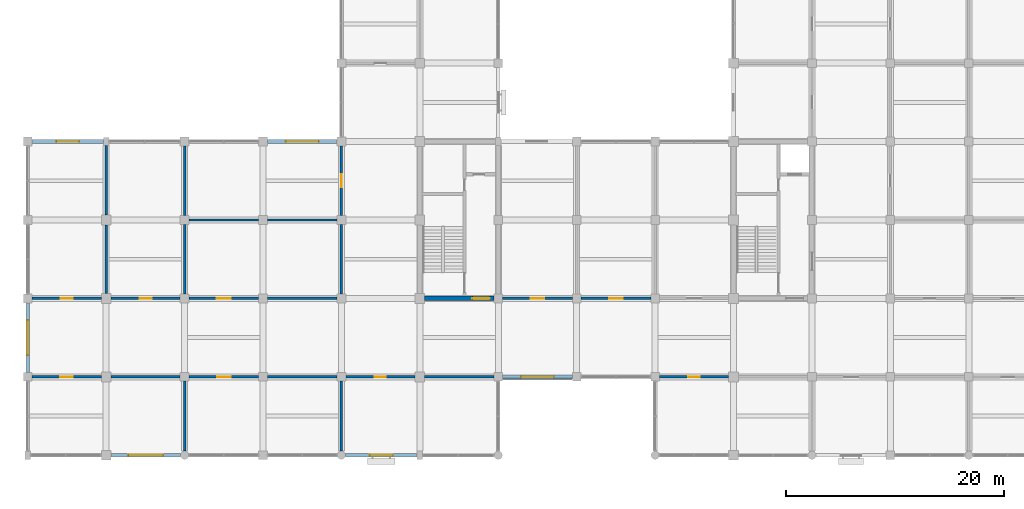
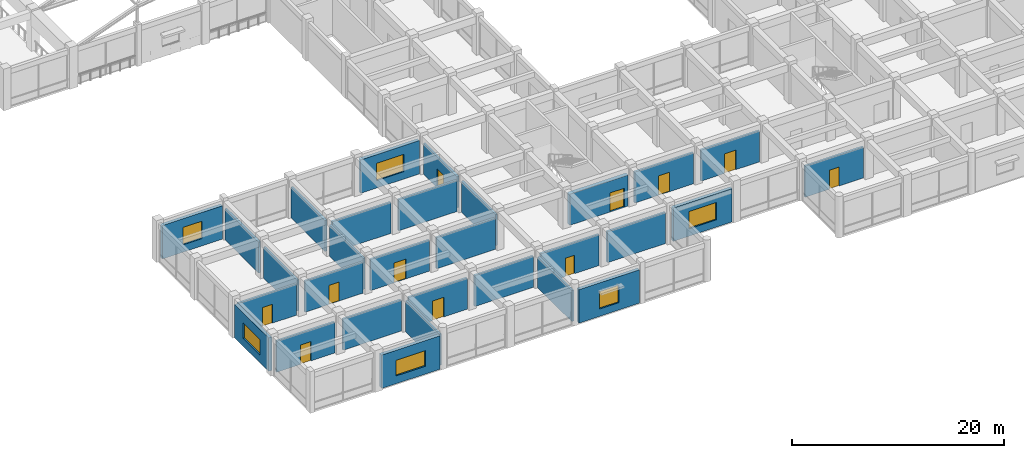
# One storey, part 56 of 75: 30 walls, 11 doors, 6 windows, 17 openings.
"""IFC4 building model written with IfcOpenShell, lengths in metres."""

from ifc_helpers import new_model, si_unit, direction, frame, frame_2d, origin, place, context, subcontext, project, spatial, rectangle, extrude, material, layer, layer_set, type_object, element, fill, save


model = new_model("IFC4")

# Units and contexts
model_context = context("Model", 3, precision=1e-05, world=origin(), true_north=direction((0.0, 1.0)))
body_context = subcontext(model_context, "Body", "Model", "MODEL_VIEW")
ifc_project = project(units=[si_unit("LENGTHUNIT", "METRE"), si_unit("AREAUNIT", "SQUARE_METRE"), si_unit("VOLUMEUNIT", "CUBIC_METRE"), si_unit("PLANEANGLEUNIT", "RADIAN"), si_unit("MASSUNIT", "GRAM", prefix="KILO")], contexts=[model_context])

# Site, building, storey
site_placement = place(None, origin())
site = spatial("IfcSite", under=ifc_project, at=site_placement, CompositionType="ELEMENT")
building_placement = place(site_placement, origin())
building = spatial("IfcBuilding", under=site, at=building_placement, Name="Cendaluz Park School", CompositionType="ELEMENT")
storey_placement = place(building_placement, frame((0.0, 0.0, 4.800048828125)))
storey = spatial("IfcBuildingStorey", under=building, at=storey_placement, Name="L01", CompositionType="ELEMENT", Elevation=4.800048828125)

# Wall, opening, window
ifc_material_1 = material(Name="Concrete C40/50 precast", Category="concrete")
ifc_layer_1 = layer(ifc_material_1, 0.360107421875)
ifc_layer_set_1 = layer_set([ifc_layer_1], Name="Concrete C40/50 precast")
wall_type_1 = type_object("IfcWallType", Name="W-EX36", PredefinedType="SOLIDWALL", material=ifc_layer_set_1)
wall_1_placement = place(storey_placement, frame((0.0, 7.60009765625, 0.0), z_axis=(0.0, 0.0, 1.0), x_axis=(0.0, 1.0, 0.0)))
wall_1 = element("IfcWall", 1, at=wall_1_placement, inside=storey, type_object=wall_type_1, Name="WL-FB-AA0", PredefinedType="SOLIDWALL", context=body_context, shape_type="SweptSolid", body=[
    extrude(rectangle(XDim=6.39990234375, YDim=0.360107421875, at=frame_2d((3.199951171875, 0.0))), origin(), (0.0, 0.0, 1.0), 3.849853515625),
])
opening_1_placement = place(wall_1_placement, frame((1.60009765625, 0.0, 0.89990234375)))
opening_1 = element("IfcOpeningElement", 2, at=opening_1_placement, cuts=wall_1, Name="Opening WN-08", PredefinedType="OPENING", context=body_context, shape_type="SweptSolid", body=[
    extrude(rectangle(XDim=3.199951171875, YDim=1.800048828125, at=frame_2d((1.60009765625, 0.89990234375))), frame((0.0, 0.192138671875, 0.0), z_axis=(0.0, -1.0, 0.0), x_axis=(1.0, 0.0, 0.0)), (0.0, 0.0, 1.0), 0.384033203125),
])
ifc_material_2 = material(Name="Tempered Low-E Double Glazing", Category="glass")
window_type_1 = type_object("IfcWindowType", Name="WN-08", PartitioningType="SINGLE_PANEL", PredefinedType="WINDOW", material=ifc_material_2)
window_1_placement = place(opening_1_placement, origin())
window_1 = element("IfcWindow", 3, at=window_1_placement, inside=storey, type_object=window_type_1, Name="WN-L01-001", OverallHeight=1.800048828125, OverallWidth=3.199951171875, PartitioningType="SINGLE_PANEL", PredefinedType="WINDOW", context=body_context, shape_type="SweptSolid", body=[
    extrude(rectangle(XDim=3.199951171875, YDim=1.800048828125, at=frame_2d((1.60009765625, 0.89990234375))), frame((0.0, 0.030029296875, 0.0), z_axis=(0.0, -1.0, 0.0), x_axis=(1.0, 0.0, 0.0)), (0.0, 0.0, 1.0), 0.06005859375),
])
fill(opening_1, window_1)

wall_2_placement = place(storey_placement, frame((0.39990234375, 28.800048828125, 0.0), z_axis=(0.0, 0.0, 1.0), x_axis=(1.0, 0.0, 0.0)))
wall_2 = element("IfcWall", 4, at=wall_2_placement, inside=storey, type_object=wall_type_1, Name="WL-FB-AA1", PredefinedType="SOLIDWALL", context=body_context, shape_type="SweptSolid", body=[
    extrude(rectangle(XDim=6.550048828125, YDim=0.360107421875, at=frame_2d((3.27490234375, 0.0))), origin(), (0.0, 0.0, 1.0), 3.849853515625),
])
opening_2_placement = place(wall_2_placement, frame((2.22509765625, 0.0, 0.85009765625)))
opening_2 = element("IfcOpeningElement", 5, at=opening_2_placement, cuts=wall_2, Name="Opening WN-11", PredefinedType="OPENING", context=body_context, shape_type="SweptSolid", body=[
    extrude(rectangle(XDim=2.10009765625, YDim=2.0, at=frame_2d((1.050048828125, 1.0))), frame((0.0, 0.192138671875, 0.0), z_axis=(0.0, -1.0, 0.0), x_axis=(1.0, 0.0, 0.0)), (0.0, 0.0, 1.0), 0.384033203125),
])
window_type_2 = type_object("IfcWindowType", Name="WN-11", PartitioningType="SINGLE_PANEL", PredefinedType="WINDOW", material=ifc_material_2)
window_2_placement = place(opening_2_placement, origin())
window_2 = element("IfcWindow", 6, at=window_2_placement, inside=storey, type_object=window_type_2, Name="WN-L01-002", OverallHeight=2.0, OverallWidth=2.10009765625, PartitioningType="SINGLE_PANEL", PredefinedType="WINDOW", context=body_context, shape_type="SweptSolid", body=[
    extrude(rectangle(XDim=2.10009765625, YDim=2.0, at=frame_2d((1.050048828125, 1.0))), frame((0.0, 0.030029296875, 0.0), z_axis=(0.0, -1.0, 0.0), x_axis=(1.0, 0.0, 0.0)), (0.0, 0.0, 1.0), 0.06005859375),
])
fill(opening_2, window_2)

wall_3_placement = place(storey_placement, frame((7.64990234375, 0.0, 0.0), z_axis=(0.0, 0.0, 1.0), x_axis=(1.0, 0.0, 0.0)))
wall_3 = element("IfcWall", 7, at=wall_3_placement, inside=storey, type_object=wall_type_1, Name="WL-FB-AA5", PredefinedType="SOLIDWALL", context=body_context, shape_type="SweptSolid", body=[
    extrude(rectangle(XDim=6.375, YDim=0.360107421875, at=frame_2d((3.1875, 0.0))), origin(), (0.0, 0.0, 1.0), 3.849853515625),
])
opening_3_placement = place(wall_3_placement, frame((1.58740234375, 0.0, 0.89990234375)))
opening_3 = element("IfcOpeningElement", 8, at=opening_3_placement, cuts=wall_3, Name="Opening WN-08", PredefinedType="OPENING", context=body_context, shape_type="SweptSolid", body=[
    extrude(rectangle(XDim=3.199951171875, YDim=1.800048828125, at=frame_2d((1.60009765625, 0.89990234375))), frame((0.0, 0.192138671875, 0.0), z_axis=(0.0, -1.0, 0.0), x_axis=(1.0, 0.0, 0.0)), (0.0, 0.0, 1.0), 0.384033203125),
])
window_3_placement = place(opening_3_placement, origin())
window_3 = element("IfcWindow", 9, at=window_3_placement, inside=storey, type_object=window_type_1, Name="WN-L01-006", OverallHeight=1.800048828125, OverallWidth=3.199951171875, PartitioningType="SINGLE_PANEL", PredefinedType="WINDOW", context=body_context, shape_type="SweptSolid", body=[
    extrude(rectangle(XDim=3.199951171875, YDim=1.800048828125, at=frame_2d((1.60009765625, 0.89990234375))), frame((0.0, 0.030029296875, 0.0), z_axis=(0.0, -1.0, 0.0), x_axis=(1.0, 0.0, 0.0)), (0.0, 0.0, 1.0), 0.06005859375),
])
fill(opening_3, window_3)

wall_4_placement = place(storey_placement, frame((22.0, 28.800048828125, 0.0), z_axis=(0.0, 0.0, 1.0), x_axis=(1.0, 0.0, 0.0)))
wall_4 = element("IfcWall", 10, at=wall_4_placement, inside=storey, type_object=wall_type_1, Name="WL-FB-AA7", PredefinedType="SOLIDWALL", context=body_context, shape_type="SweptSolid", body=[
    extrude(rectangle(XDim=6.39990234375, YDim=0.360107421875, at=frame_2d((3.199951171875, 0.0))), origin(), (0.0, 0.0, 1.0), 3.849853515625),
])
opening_4_placement = place(wall_4_placement, frame((1.699951171875, 0.0, 0.85009765625)))
opening_4 = element("IfcOpeningElement", 11, at=opening_4_placement, cuts=wall_4, Name="Opening WN-14", PredefinedType="OPENING", context=body_context, shape_type="SweptSolid", body=[
    extrude(rectangle(XDim=3.0, YDim=2.0, at=frame_2d((1.5, 1.0))), frame((0.0, 0.192138671875, 0.0), z_axis=(0.0, -1.0, 0.0), x_axis=(1.0, 0.0, 0.0)), (0.0, 0.0, 1.0), 0.384033203125),
])
window_type_3 = type_object("IfcWindowType", Name="WN-14", PartitioningType="SINGLE_PANEL", PredefinedType="WINDOW", material=ifc_material_2)
window_4_placement = place(opening_4_placement, origin())
window_4 = element("IfcWindow", 12, at=window_4_placement, inside=storey, type_object=window_type_3, Name="WN-L01-008", OverallHeight=2.0, OverallWidth=3.0, PartitioningType="SINGLE_PANEL", PredefinedType="WINDOW", context=body_context, shape_type="SweptSolid", body=[
    extrude(rectangle(XDim=3.0, YDim=2.0, at=frame_2d((1.5, 1.0))), frame((0.0, 0.030029296875, 0.0), z_axis=(0.0, -1.0, 0.0), x_axis=(1.0, 0.0, 0.0)), (0.0, 0.0, 1.0), 0.06005859375),
])
fill(opening_4, window_4)

wall_5_placement = place(storey_placement, frame((29.175048828125, 0.0, 0.0), z_axis=(0.0, 0.0, 1.0), x_axis=(1.0, 0.0, 0.0)))
wall_5 = element("IfcWall", 13, at=wall_5_placement, inside=storey, type_object=wall_type_1, Name="WL-FB-AA9", PredefinedType="SOLIDWALL", context=body_context, shape_type="SweptSolid", body=[
    extrude(rectangle(XDim=6.574951171875, YDim=0.360107421875, at=frame_2d((3.28759765625, 0.0))), origin(), (0.0, 0.0, 1.0), 3.849853515625),
])
opening_5_placement = place(wall_5_placement, frame((2.237548828125, 0.0, 0.85009765625)))
opening_5 = element("IfcOpeningElement", 14, at=opening_5_placement, cuts=wall_5, Name="Opening WN-11", PredefinedType="OPENING", context=body_context, shape_type="SweptSolid", body=[
    extrude(rectangle(XDim=2.10009765625, YDim=2.0, at=frame_2d((1.050048828125, 1.0))), frame((0.0, 0.192138671875, 0.0), z_axis=(0.0, -1.0, 0.0), x_axis=(1.0, 0.0, 0.0)), (0.0, 0.0, 1.0), 0.384033203125),
])
window_5_placement = place(opening_5_placement, origin())
window_5 = element("IfcWindow", 15, at=window_5_placement, inside=storey, type_object=window_type_2, Name="WN-L01-010", OverallHeight=2.0, OverallWidth=2.10009765625, PartitioningType="SINGLE_PANEL", PredefinedType="WINDOW", context=body_context, shape_type="SweptSolid", body=[
    extrude(rectangle(XDim=2.10009765625, YDim=2.0, at=frame_2d((1.050048828125, 1.0))), frame((0.0, 0.030029296875, 0.0), z_axis=(0.0, -1.0, 0.0), x_axis=(1.0, 0.0, 0.0)), (0.0, 0.0, 1.0), 0.06005859375),
])
fill(opening_5, window_5)

wall_6_placement = place(storey_placement, frame((43.60009765625, 7.199951171875, 0.0), z_axis=(0.0, 0.0, 1.0), x_axis=(1.0, 0.0, 0.0)))
wall_6 = element("IfcWall", 16, at=wall_6_placement, inside=storey, type_object=wall_type_1, Name="WL-FB-AB4", PredefinedType="SOLIDWALL", context=body_context, shape_type="SweptSolid", body=[
    extrude(rectangle(XDim=6.39990234375, YDim=0.360107421875, at=frame_2d((3.199951171875, 0.0))), origin(), (0.0, 0.0, 1.0), 3.849853515625),
])
opening_6_placement = place(wall_6_placement, frame((1.699951171875, 0.0, 0.85009765625)))
opening_6 = element("IfcOpeningElement", 17, at=opening_6_placement, cuts=wall_6, Name="Opening WN-14", PredefinedType="OPENING", context=body_context, shape_type="SweptSolid", body=[
    extrude(rectangle(XDim=3.0, YDim=2.0, at=frame_2d((1.5, 1.0))), frame((0.0, 0.192138671875, 0.0), z_axis=(0.0, -1.0, 0.0), x_axis=(1.0, 0.0, 0.0)), (0.0, 0.0, 1.0), 0.384033203125),
])
window_6_placement = place(opening_6_placement, origin())
window_6 = element("IfcWindow", 18, at=window_6_placement, inside=storey, type_object=window_type_3, Name="WN-L01-015", OverallHeight=2.0, OverallWidth=3.0, PartitioningType="SINGLE_PANEL", PredefinedType="WINDOW", context=body_context, shape_type="SweptSolid", body=[
    extrude(rectangle(XDim=3.0, YDim=2.0, at=frame_2d((1.5, 1.0))), frame((0.0, 0.030029296875, 0.0), z_axis=(0.0, -1.0, 0.0), x_axis=(1.0, 0.0, 0.0)), (0.0, 0.0, 1.0), 0.06005859375),
])
fill(opening_6, window_6)

# Wall, opening, door
ifc_material_3 = material(Name="Gypsum Plasterboard on Cold-Formed Stud", Category="gypsum")
ifc_layer_2 = layer(ifc_material_3, 0.219970703125)
ifc_layer_set_2 = layer_set([ifc_layer_2], Name="Gypsum Plasterboard on Cold-Formed Stud")
wall_type_2 = type_object("IfcWallType", Name="W-LB22", PredefinedType="PARTITIONING", material=ifc_layer_set_2)
wall_7_placement = place(storey_placement, frame((0.39990234375, 14.39990234375, 0.0), z_axis=(0.0, 0.0, 1.0), x_axis=(1.0, 0.0, 0.0)))
wall_7 = element("IfcWall", 19, at=wall_7_placement, inside=storey, type_object=wall_type_2, Name="WL-FB-BP5", PredefinedType="PARTITIONING", context=body_context, shape_type="SweptSolid", body=[
    extrude(rectangle(XDim=6.35009765625, YDim=0.219970703125, at=frame_2d((3.175048828125, 0.0))), origin(), (0.0, 0.0, 1.0), 3.579833984375),
])
opening_7_placement = place(wall_7_placement, frame((2.635009765625, 0.0, 0.0)))
opening_7 = element("IfcOpeningElement", 20, at=opening_7_placement, cuts=wall_7, Name="Opening DCL-05", PredefinedType="OPENING", context=body_context, shape_type="SweptSolid", body=[
    extrude(rectangle(XDim=1.080078125, YDim=2.179931640625, at=frame_2d((0.5400390625, 1.08984375))), frame((0.0, 0.1220703125, 0.0), z_axis=(0.0, -1.0, 0.0), x_axis=(1.0, 0.0, 0.0)), (0.0, 0.0, 1.0), 0.243896484375),
])
ifc_material_4 = material(Name="Solid Core Hardwood", Category="wood")
door_type_1 = type_object("IfcDoorType", Name="DCL-05", OperationType="NOTDEFINED", PredefinedType="DOOR", material=ifc_material_4)
door_1_placement = place(opening_7_placement, frame((1.080078125, 0.0, 0.0), z_axis=(0.0, 0.0, 1.0), x_axis=(-1.0, 0.0, 0.0)))
door_1 = element("IfcDoor", 21, at=door_1_placement, inside=storey, type_object=door_type_1, Name="D-L01-037", OperationType="SINGLE_SWING_LEFT", OverallHeight=2.179931640625, OverallWidth=1.080078125, PredefinedType="DOOR", context=body_context, shape_type="SweptSolid", body=[
    extrude(rectangle(XDim=1.080078125, YDim=2.179931640625, at=frame_2d((0.5400390625, 1.08984375))), frame((0.0, 0.02490234375, 0.0), z_axis=(0.0, -1.0, 0.0), x_axis=(1.0, 0.0, 0.0)), (0.0, 0.0, 1.0), 0.050048828125),
])
fill(opening_7, door_1)

# Walls
wall_8_placement = place(storey_placement, frame((7.199951171875, 14.85009765625, 0.0), z_axis=(0.0, 0.0, 1.0), x_axis=(0.0, 1.0, 0.0)))
element("IfcWall", 22, at=wall_8_placement, inside=storey, type_object=wall_type_2, Name="WL-FB-BP6", PredefinedType="PARTITIONING", context=body_context, shape_type="SweptSolid", body=[
    extrude(rectangle(XDim=6.2998046875, YDim=0.219970703125, at=frame_2d((3.14990234375, 0.0))), origin(), (0.0, 0.0, 1.0), 3.579833984375),
])
wall_9_placement = place(storey_placement, frame((7.199951171875, 22.050048828125, 0.0), z_axis=(0.0, 0.0, 1.0), x_axis=(0.0, 1.0, 0.0)))
element("IfcWall", 23, at=wall_9_placement, inside=storey, type_object=wall_type_2, Name="WL-FB-BP7", PredefinedType="PARTITIONING", context=body_context, shape_type="SweptSolid", body=[
    extrude(rectangle(XDim=6.375, YDim=0.219970703125, at=frame_2d((3.1875, 0.0))), origin(), (0.0, 0.0, 1.0), 3.579833984375),
])

# Wall, opening, door
wall_10_placement = place(storey_placement, frame((7.64990234375, 14.39990234375, 0.0), z_axis=(0.0, 0.0, 1.0), x_axis=(1.0, 0.0, 0.0)))
wall_10 = element("IfcWall", 24, at=wall_10_placement, inside=storey, type_object=wall_type_2, Name="WL-FB-BP8", PredefinedType="PARTITIONING", context=body_context, shape_type="SweptSolid", body=[
    extrude(rectangle(XDim=6.35009765625, YDim=0.219970703125, at=frame_2d((3.175048828125, 0.0))), origin(), (0.0, 0.0, 1.0), 3.579833984375),
])
opening_8_placement = place(wall_10_placement, frame((2.614990234375, 0.0, 0.0)))
opening_8 = element("IfcOpeningElement", 25, at=opening_8_placement, cuts=wall_10, Name="Opening DCL-06", PredefinedType="OPENING", context=body_context, shape_type="SweptSolid", body=[
    extrude(rectangle(XDim=1.1201171875, YDim=2.199951171875, at=frame_2d((0.56005859375, 1.10009765625))), frame((0.0, 0.1220703125, 0.0), z_axis=(0.0, -1.0, 0.0), x_axis=(1.0, 0.0, 0.0)), (0.0, 0.0, 1.0), 0.243896484375),
])
door_type_2 = type_object("IfcDoorType", Name="DCL-06", OperationType="NOTDEFINED", PredefinedType="DOOR", material=ifc_material_4)
door_2_placement = place(opening_8_placement, frame((1.1201171875, 0.0, 0.0), z_axis=(0.0, 0.0, 1.0), x_axis=(-1.0, 0.0, 0.0)))
door_2 = element("IfcDoor", 26, at=door_2_placement, inside=storey, type_object=door_type_2, Name="D-L01-038", OperationType="SINGLE_SWING_RIGHT", OverallHeight=2.199951171875, OverallWidth=1.1201171875, PredefinedType="DOOR", context=body_context, shape_type="SweptSolid", body=[
    extrude(rectangle(XDim=1.1201171875, YDim=2.199951171875, at=frame_2d((0.56005859375, 1.10009765625))), frame((0.0, 0.02490234375, 0.0), z_axis=(0.0, -1.0, 0.0), x_axis=(1.0, 0.0, 0.0)), (0.0, 0.0, 1.0), 0.050048828125),
])
fill(opening_8, door_2)

# Walls
for number, where, z_axis, x_axis, name in (
    (27, (14.39990234375, 14.800048828125, 0.0), (0.0, 0.0, 1.0), (0.0, 1.0, 0.0), "WL-FB-BP9"),
    (28, (14.39990234375, 22.0, 0.0), (0.0, 0.0, 1.0), (0.0, 1.0, 0.0), "WL-FB-BQ0"),
    (29, (14.800048828125, 21.60009765625, 0.0), (0.0, 0.0, 1.0), (1.0, 0.0, 0.0), "WL-FB-BQ1"),
    (30, (22.0, 21.60009765625, 0.0), (0.0, 0.0, 1.0), (1.0, 0.0, 0.0), "WL-FB-BQ2"),
):
    element("IfcWall", number, at=place(storey_placement, frame(where, z_axis=z_axis, x_axis=x_axis)), inside=storey, type_object=wall_type_2, Name=name, PredefinedType="PARTITIONING", context=body_context, shape_type="SweptSolid", body=[
        extrude(rectangle(XDim=6.39990234375, YDim=0.219970703125, at=frame_2d((3.199951171875, 0.0))), origin(), (0.0, 0.0, 1.0), 3.579833984375),
    ])

# Wall, opening, door
wall_11_placement = place(storey_placement, frame((28.800048828125, 22.0, 0.0), z_axis=(0.0, 0.0, 1.0), x_axis=(0.0, 1.0, 0.0)))
wall_11 = element("IfcWall", 31, at=wall_11_placement, inside=storey, type_object=wall_type_2, Name="WL-FB-BQ3", PredefinedType="PARTITIONING", context=body_context, shape_type="SweptSolid", body=[
    extrude(rectangle(XDim=6.39990234375, YDim=0.219970703125, at=frame_2d((3.199951171875, 0.0))), origin(), (0.0, 0.0, 1.0), 3.579833984375),
])
opening_9_placement = place(wall_11_placement, frame((2.6201171875, 0.0, 0.0)))
opening_9 = element("IfcOpeningElement", 32, at=opening_9_placement, cuts=wall_11, Name="Opening DCL-07", PredefinedType="OPENING", context=body_context, shape_type="SweptSolid", body=[
    extrude(rectangle(XDim=1.159912109375, YDim=2.219970703125, at=frame_2d((0.580078125, 1.10986328125))), frame((0.0, 0.1220703125, 0.0), z_axis=(0.0, -1.0, 0.0), x_axis=(1.0, 0.0, 0.0)), (0.0, 0.0, 1.0), 0.243896484375),
])
door_type_3 = type_object("IfcDoorType", Name="DCL-07", OperationType="NOTDEFINED", PredefinedType="DOOR", material=ifc_material_4)
door_3_placement = place(opening_9_placement, frame((1.159912109375, 0.0, 0.0), z_axis=(0.0, 0.0, 1.0), x_axis=(-1.0, 0.0, 0.0)))
door_3 = element("IfcDoor", 33, at=door_3_placement, inside=storey, type_object=door_type_3, Name="D-L01-039", OperationType="SINGLE_SWING_LEFT", OverallHeight=2.219970703125, OverallWidth=1.159912109375, PredefinedType="DOOR", context=body_context, shape_type="SweptSolid", body=[
    extrude(rectangle(XDim=1.159912109375, YDim=2.219970703125, at=frame_2d((0.580078125, 1.10986328125))), frame((0.0, 0.02490234375, 0.0), z_axis=(0.0, -1.0, 0.0), x_axis=(1.0, 0.0, 0.0)), (0.0, 0.0, 1.0), 0.050048828125),
])
fill(opening_9, door_3)

wall_12_placement = place(storey_placement, frame((43.60009765625, 14.39990234375, 0.0), z_axis=(0.0, 0.0, 1.0), x_axis=(1.0, 0.0, 0.0)))
wall_12 = element("IfcWall", 34, at=wall_12_placement, inside=storey, type_object=wall_type_2, Name="WL-FB-BQ4", PredefinedType="PARTITIONING", context=body_context, shape_type="SweptSolid", body=[
    extrude(rectangle(XDim=6.39990234375, YDim=0.219970703125, at=frame_2d((3.199951171875, 0.0))), origin(), (0.0, 0.0, 1.0), 3.579833984375),
])
opening_10_placement = place(wall_12_placement, frame((2.60009765625, 0.0, 0.0)))
opening_10 = element("IfcOpeningElement", 35, at=opening_10_placement, cuts=wall_12, Name="Opening DCL-08", PredefinedType="OPENING", context=body_context, shape_type="SweptSolid", body=[
    extrude(rectangle(XDim=1.199951171875, YDim=2.239990234375, at=frame_2d((0.60009765625, 1.1201171875))), frame((0.0, 0.1220703125, 0.0), z_axis=(0.0, -1.0, 0.0), x_axis=(1.0, 0.0, 0.0)), (0.0, 0.0, 1.0), 0.243896484375),
])
door_type_4 = type_object("IfcDoorType", Name="DCL-08", OperationType="NOTDEFINED", PredefinedType="DOOR", material=ifc_material_4)
door_4_placement = place(opening_10_placement, frame((1.199951171875, 0.0, 0.0), z_axis=(0.0, 0.0, 1.0), x_axis=(-1.0, 0.0, 0.0)))
door_4 = element("IfcDoor", 36, at=door_4_placement, inside=storey, type_object=door_type_4, Name="D-L01-040", OperationType="SINGLE_SWING_RIGHT", OverallHeight=2.239990234375, OverallWidth=1.199951171875, PredefinedType="DOOR", context=body_context, shape_type="SweptSolid", body=[
    extrude(rectangle(XDim=1.199951171875, YDim=2.239990234375, at=frame_2d((0.60009765625, 1.1201171875))), frame((0.0, 0.02490234375, 0.0), z_axis=(0.0, -1.0, 0.0), x_axis=(1.0, 0.0, 0.0)), (0.0, 0.0, 1.0), 0.050048828125),
])
fill(opening_10, door_4)

wall_13_placement = place(storey_placement, frame((50.800048828125, 14.39990234375, 0.0), z_axis=(0.0, 0.0, 1.0), x_axis=(1.0, 0.0, 0.0)))
wall_13 = element("IfcWall", 37, at=wall_13_placement, inside=storey, type_object=wall_type_2, Name="WL-FB-BQ7", PredefinedType="PARTITIONING", context=body_context, shape_type="SweptSolid", body=[
    extrude(rectangle(XDim=6.39990234375, YDim=0.219970703125, at=frame_2d((3.199951171875, 0.0))), origin(), (0.0, 0.0, 1.0), 3.579833984375),
])
opening_11_placement = place(wall_13_placement, frame((2.580078125, 0.0, 0.0)))
opening_11 = element("IfcOpeningElement", 38, at=opening_11_placement, cuts=wall_13, Name="Opening DCL-09", PredefinedType="OPENING", context=body_context, shape_type="SweptSolid", body=[
    extrude(rectangle(XDim=1.239990234375, YDim=2.260009765625, at=frame_2d((0.6201171875, 1.1298828125))), frame((0.0, 0.1220703125, 0.0), z_axis=(0.0, -1.0, 0.0), x_axis=(1.0, 0.0, 0.0)), (0.0, 0.0, 1.0), 0.243896484375),
])
door_type_5 = type_object("IfcDoorType", Name="DCL-09", OperationType="NOTDEFINED", PredefinedType="DOOR", material=ifc_material_4)
door_5_placement = place(opening_11_placement, frame((1.239990234375, 0.0, 0.0), z_axis=(0.0, 0.0, 1.0), x_axis=(-1.0, 0.0, 0.0)))
door_5 = element("IfcDoor", 39, at=door_5_placement, inside=storey, type_object=door_type_5, Name="D-L01-041", OperationType="SINGLE_SWING_LEFT", OverallHeight=2.260009765625, OverallWidth=1.239990234375, PredefinedType="DOOR", context=body_context, shape_type="SweptSolid", body=[
    extrude(rectangle(XDim=1.239990234375, YDim=2.260009765625, at=frame_2d((0.6201171875, 1.1298828125))), frame((0.0, 0.02490234375, 0.0), z_axis=(0.0, -1.0, 0.0), x_axis=(1.0, 0.0, 0.0)), (0.0, 0.0, 1.0), 0.050048828125),
])
fill(opening_11, door_5)

wall_14_placement = place(storey_placement, frame((0.39990234375, 7.199951171875, 0.0), z_axis=(0.0, 0.0, 1.0), x_axis=(1.0, 0.0, 0.0)))
wall_14 = element("IfcWall", 40, at=wall_14_placement, inside=storey, type_object=wall_type_2, Name="WL-FB-BS7", PredefinedType="PARTITIONING", context=body_context, shape_type="SweptSolid", body=[
    extrude(rectangle(XDim=6.35009765625, YDim=0.219970703125, at=frame_2d((3.175048828125, 0.0))), origin(), (0.0, 0.0, 1.0), 3.579833984375),
])
opening_12_placement = place(wall_14_placement, frame((2.594970703125, 0.0, 0.0)))
opening_12 = element("IfcOpeningElement", 41, at=opening_12_placement, cuts=wall_14, Name="Opening DCL-07", PredefinedType="OPENING", context=body_context, shape_type="SweptSolid", body=[
    extrude(rectangle(XDim=1.159912109375, YDim=2.219970703125, at=frame_2d((0.580078125, 1.10986328125))), frame((0.0, 0.1220703125, 0.0), z_axis=(0.0, -1.0, 0.0), x_axis=(1.0, 0.0, 0.0)), (0.0, 0.0, 1.0), 0.243896484375),
])
door_6_placement = place(opening_12_placement, origin())
door_6 = element("IfcDoor", 42, at=door_6_placement, inside=storey, type_object=door_type_3, Name="D-L01-049", OperationType="SINGLE_SWING_LEFT", OverallHeight=2.219970703125, OverallWidth=1.159912109375, PredefinedType="DOOR", context=body_context, shape_type="SweptSolid", body=[
    extrude(rectangle(XDim=1.159912109375, YDim=2.219970703125, at=frame_2d((0.580078125, 1.10986328125))), frame((0.0, 0.02490234375, 0.0), z_axis=(0.0, -1.0, 0.0), x_axis=(1.0, 0.0, 0.0)), (0.0, 0.0, 1.0), 0.050048828125),
])
fill(opening_12, door_6)

# Walls
wall_15_placement = place(storey_placement, frame((7.64990234375, 7.199951171875, 0.0), z_axis=(0.0, 0.0, 1.0), x_axis=(1.0, 0.0, 0.0)))
element("IfcWall", 43, at=wall_15_placement, inside=storey, type_object=wall_type_2, Name="WL-FB-BS8", PredefinedType="PARTITIONING", context=body_context, shape_type="SweptSolid", body=[
    extrude(rectangle(XDim=6.35009765625, YDim=0.219970703125, at=frame_2d((3.175048828125, 0.0))), origin(), (0.0, 0.0, 1.0), 3.579833984375),
])
wall_16_placement = place(storey_placement, frame((14.39990234375, 0.375, 0.0), z_axis=(0.0, 0.0, 1.0), x_axis=(0.0, 1.0, 0.0)))
element("IfcWall", 44, at=wall_16_placement, inside=storey, type_object=wall_type_2, Name="WL-FB-BS9", PredefinedType="PARTITIONING", context=body_context, shape_type="SweptSolid", body=[
    extrude(rectangle(XDim=6.425048828125, YDim=0.219970703125, at=frame_2d((3.21240234375, 0.0))), origin(), (0.0, 0.0, 1.0), 3.579833984375),
])

# Wall, opening, door
wall_17_placement = place(storey_placement, frame((14.800048828125, 7.199951171875, 0.0), z_axis=(0.0, 0.0, 1.0), x_axis=(1.0, 0.0, 0.0)))
wall_17 = element("IfcWall", 45, at=wall_17_placement, inside=storey, type_object=wall_type_2, Name="WL-FB-BT2", PredefinedType="PARTITIONING", context=body_context, shape_type="SweptSolid", body=[
    extrude(rectangle(XDim=6.39990234375, YDim=0.219970703125, at=frame_2d((3.199951171875, 0.0))), origin(), (0.0, 0.0, 1.0), 3.579833984375),
])
opening_13_placement = place(wall_17_placement, frame((2.580078125, 0.0, 0.0)))
opening_13 = element("IfcOpeningElement", 46, at=opening_13_placement, cuts=wall_17, Name="Opening DCL-09", PredefinedType="OPENING", context=body_context, shape_type="SweptSolid", body=[
    extrude(rectangle(XDim=1.239990234375, YDim=2.260009765625, at=frame_2d((0.6201171875, 1.1298828125))), frame((0.0, 0.1220703125, 0.0), z_axis=(0.0, -1.0, 0.0), x_axis=(1.0, 0.0, 0.0)), (0.0, 0.0, 1.0), 0.243896484375),
])
door_7_placement = place(opening_13_placement, origin())
door_7 = element("IfcDoor", 47, at=door_7_placement, inside=storey, type_object=door_type_5, Name="D-L01-051", OperationType="SINGLE_SWING_LEFT", OverallHeight=2.260009765625, OverallWidth=1.239990234375, PredefinedType="DOOR", context=body_context, shape_type="SweptSolid", body=[
    extrude(rectangle(XDim=1.239990234375, YDim=2.260009765625, at=frame_2d((0.6201171875, 1.1298828125))), frame((0.0, 0.02490234375, 0.0), z_axis=(0.0, -1.0, 0.0), x_axis=(1.0, 0.0, 0.0)), (0.0, 0.0, 1.0), 0.050048828125),
])
fill(opening_13, door_7)

# Walls
wall_18_placement = place(storey_placement, frame((22.0, 7.199951171875, 0.0), z_axis=(0.0, 0.0, 1.0), x_axis=(1.0, 0.0, 0.0)))
element("IfcWall", 48, at=wall_18_placement, inside=storey, type_object=wall_type_2, Name="WL-FB-BT3", PredefinedType="PARTITIONING", context=body_context, shape_type="SweptSolid", body=[
    extrude(rectangle(XDim=6.39990234375, YDim=0.219970703125, at=frame_2d((3.199951171875, 0.0))), origin(), (0.0, 0.0, 1.0), 3.579833984375),
])
wall_19_placement = place(storey_placement, frame((28.800048828125, 0.375, 0.0), z_axis=(0.0, 0.0, 1.0), x_axis=(0.0, 1.0, 0.0)))
element("IfcWall", 49, at=wall_19_placement, inside=storey, type_object=wall_type_2, Name="WL-FB-BT4", PredefinedType="PARTITIONING", context=body_context, shape_type="SweptSolid", body=[
    extrude(rectangle(XDim=6.425048828125, YDim=0.219970703125, at=frame_2d((3.21240234375, 0.0))), origin(), (0.0, 0.0, 1.0), 3.579833984375),
])

# Wall, opening, door
wall_20_placement = place(storey_placement, frame((14.800048828125, 14.39990234375, 0.0), z_axis=(0.0, 0.0, 1.0), x_axis=(1.0, 0.0, 0.0)))
wall_20 = element("IfcWall", 50, at=wall_20_placement, inside=storey, type_object=wall_type_2, Name="WL-FB-BT5", PredefinedType="PARTITIONING", context=body_context, shape_type="SweptSolid", body=[
    extrude(rectangle(XDim=6.39990234375, YDim=0.219970703125, at=frame_2d((3.199951171875, 0.0))), origin(), (0.0, 0.0, 1.0), 3.579833984375),
])
opening_14_placement = place(wall_20_placement, frame((2.56005859375, 0.0, 0.0)))
opening_14 = element("IfcOpeningElement", 51, at=opening_14_placement, cuts=wall_20, Name="Opening DCL-10", PredefinedType="OPENING", context=body_context, shape_type="SweptSolid", body=[
    extrude(rectangle(XDim=1.280029296875, YDim=2.280029296875, at=frame_2d((0.64013671875, 1.14013671875))), frame((0.0, 0.1220703125, 0.0), z_axis=(0.0, -1.0, 0.0), x_axis=(1.0, 0.0, 0.0)), (0.0, 0.0, 1.0), 0.243896484375),
])
door_type_6 = type_object("IfcDoorType", Name="DCL-10", OperationType="NOTDEFINED", PredefinedType="DOOR", material=ifc_material_4)
door_8_placement = place(opening_14_placement, frame((1.280029296875, 0.0, 0.0), z_axis=(0.0, 0.0, 1.0), x_axis=(-1.0, 0.0, 0.0)))
door_8 = element("IfcDoor", 52, at=door_8_placement, inside=storey, type_object=door_type_6, Name="D-L01-052", OperationType="SINGLE_SWING_RIGHT", OverallHeight=2.280029296875, OverallWidth=1.280029296875, PredefinedType="DOOR", context=body_context, shape_type="SweptSolid", body=[
    extrude(rectangle(XDim=1.280029296875, YDim=2.280029296875, at=frame_2d((0.64013671875, 1.14013671875))), frame((0.0, 0.02490234375, 0.0), z_axis=(0.0, -1.0, 0.0), x_axis=(1.0, 0.0, 0.0)), (0.0, 0.0, 1.0), 0.050048828125),
])
fill(opening_14, door_8)

# Walls
for number, where, z_axis, x_axis, name in (
    (53, (22.0, 14.39990234375, 0.0), (0.0, 0.0, 1.0), (1.0, 0.0, 0.0), "WL-FB-BT6"),
    (54, (28.800048828125, 14.800048828125, 0.0), (0.0, 0.0, 1.0), (0.0, 1.0, 0.0), "WL-FB-BT7"),
):
    element("IfcWall", number, at=place(storey_placement, frame(where, z_axis=z_axis, x_axis=x_axis)), inside=storey, type_object=wall_type_2, Name=name, PredefinedType="PARTITIONING", context=body_context, shape_type="SweptSolid", body=[
        extrude(rectangle(XDim=6.39990234375, YDim=0.219970703125, at=frame_2d((3.199951171875, 0.0))), origin(), (0.0, 0.0, 1.0), 3.579833984375),
    ])

# Wall, opening, door
wall_21_placement = place(storey_placement, frame((29.199951171875, 7.199951171875, 0.0), z_axis=(0.0, 0.0, 1.0), x_axis=(1.0, 0.0, 0.0)))
wall_21 = element("IfcWall", 55, at=wall_21_placement, inside=storey, type_object=wall_type_2, Name="WL-FB-BU1", PredefinedType="PARTITIONING", context=body_context, shape_type="SweptSolid", body=[
    extrude(rectangle(XDim=6.35009765625, YDim=0.219970703125, at=frame_2d((3.175048828125, 0.0))), origin(), (0.0, 0.0, 1.0), 3.579833984375),
])
opening_15_placement = place(wall_21_placement, frame((2.6650390625, 0.0, 0.0)))
opening_15 = element("IfcOpeningElement", 56, at=opening_15_placement, cuts=wall_21, Name="Opening DCL-02", PredefinedType="OPENING", context=body_context, shape_type="SweptSolid", body=[
    extrude(rectangle(XDim=1.02001953125, YDim=2.1201171875, at=frame_2d((0.510009765625, 1.06005859375))), frame((0.0, 0.1220703125, 0.0), z_axis=(0.0, -1.0, 0.0), x_axis=(1.0, 0.0, 0.0)), (0.0, 0.0, 1.0), 0.243896484375),
])
door_type_7 = type_object("IfcDoorType", Name="DCL-02", OperationType="NOTDEFINED", PredefinedType="DOOR", material=ifc_material_4)
door_9_placement = place(opening_15_placement, origin())
door_9 = element("IfcDoor", 57, at=door_9_placement, inside=storey, type_object=door_type_7, Name="D-L01-054", OperationType="SINGLE_SWING_RIGHT", OverallHeight=2.1201171875, OverallWidth=1.02001953125, PredefinedType="DOOR", context=body_context, shape_type="SweptSolid", body=[
    extrude(rectangle(XDim=1.02001953125, YDim=2.1201171875, at=frame_2d((0.510009765625, 1.06005859375))), frame((0.0, 0.02490234375, 0.0), z_axis=(0.0, -1.0, 0.0), x_axis=(1.0, 0.0, 0.0)), (0.0, 0.0, 1.0), 0.050048828125),
])
fill(opening_15, door_9)

# Wall
wall_22_placement = place(storey_placement, frame((36.449951171875, 7.199951171875, 0.0), z_axis=(0.0, 0.0, 1.0), x_axis=(1.0, 0.0, 0.0)))
element("IfcWall", 58, at=wall_22_placement, inside=storey, type_object=wall_type_2, Name="WL-FB-BU2", PredefinedType="PARTITIONING", context=body_context, shape_type="SweptSolid", body=[
    extrude(rectangle(XDim=6.35009765625, YDim=0.219970703125, at=frame_2d((3.175048828125, 0.0))), origin(), (0.0, 0.0, 1.0), 3.579833984375),
])

# Wall, opening, door
wall_23_placement = place(storey_placement, frame((58.0, 7.199951171875, 0.0), z_axis=(0.0, 0.0, 1.0), x_axis=(1.0, 0.0, 0.0)))
wall_23 = element("IfcWall", 59, at=wall_23_placement, inside=storey, type_object=wall_type_2, Name="WL-FB-BU7", PredefinedType="PARTITIONING", context=body_context, shape_type="SweptSolid", body=[
    extrude(rectangle(XDim=6.35009765625, YDim=0.219970703125, at=frame_2d((3.175048828125, 0.0))), origin(), (0.0, 0.0, 1.0), 3.579833984375),
])
opening_16_placement = place(wall_23_placement, frame((2.635009765625, 0.0, 0.0)))
opening_16 = element("IfcOpeningElement", 60, at=opening_16_placement, cuts=wall_23, Name="Opening DCL-05", PredefinedType="OPENING", context=body_context, shape_type="SweptSolid", body=[
    extrude(rectangle(XDim=1.080078125, YDim=2.179931640625, at=frame_2d((0.5400390625, 1.08984375))), frame((0.0, 0.1220703125, 0.0), z_axis=(0.0, -1.0, 0.0), x_axis=(1.0, 0.0, 0.0)), (0.0, 0.0, 1.0), 0.243896484375),
])
door_10_placement = place(opening_16_placement, origin())
door_10 = element("IfcDoor", 61, at=door_10_placement, inside=storey, type_object=door_type_1, Name="D-L01-057", OperationType="SINGLE_SWING_LEFT", OverallHeight=2.179931640625, OverallWidth=1.080078125, PredefinedType="DOOR", context=body_context, shape_type="SweptSolid", body=[
    extrude(rectangle(XDim=1.080078125, YDim=2.179931640625, at=frame_2d((0.5400390625, 1.08984375))), frame((0.0, 0.02490234375, 0.0), z_axis=(0.0, -1.0, 0.0), x_axis=(1.0, 0.0, 0.0)), (0.0, 0.0, 1.0), 0.050048828125),
])
fill(opening_16, door_10)

ifc_material_5 = material(Name="Concrete C40/50", Category="concrete")
ifc_layer_3 = layer(ifc_material_5, 0.419921875)
ifc_layer_set_3 = layer_set([ifc_layer_3], Name="Concrete C40/50")
wall_type_3 = type_object("IfcWallType", Name="W-SH42", PredefinedType="SHEAR", material=ifc_layer_set_3)
wall_24_placement = place(storey_placement, frame((36.449951171875, 14.39990234375, 0.0), z_axis=(0.0, 0.0, 1.0), x_axis=(1.0, 0.0, 0.0)))
wall_24 = element("IfcWall", 62, at=wall_24_placement, inside=storey, type_object=wall_type_3, Name="WL-FB-BL9", PredefinedType="SHEAR", context=body_context, shape_type="SweptSolid", body=[
    extrude(rectangle(XDim=6.35009765625, YDim=0.419921875, at=frame_2d((3.175048828125, 0.0))), origin(), (0.0, 0.0, 1.0), 3.579833984375),
])
opening_17_placement = place(wall_24_placement, frame((4.3701171875, 0.0, 0.0)))
opening_17 = element("IfcOpeningElement", 63, at=opening_17_placement, cuts=wall_24, Name="Opening DLB-01", PredefinedType="OPENING", context=body_context, shape_type="SweptSolid", body=[
    extrude(rectangle(XDim=1.60009765625, YDim=2.199951171875, at=frame_2d((0.800048828125, 1.10009765625))), frame((0.0, 0.221923828125, 0.0), z_axis=(0.0, -1.0, 0.0), x_axis=(1.0, 0.0, 0.0)), (0.0, 0.0, 1.0), 0.44384765625),
])
door_type_8 = type_object("IfcDoorType", Name="DLB-01", OperationType="DOUBLE_DOOR_SINGLE_SWING", PredefinedType="DOOR", material=ifc_material_4)
door_11_placement = place(opening_17_placement, origin())
door_11 = element("IfcDoor", 64, at=door_11_placement, inside=storey, type_object=door_type_8, Name="D-L01-019", OperationType="DOUBLE_DOOR_SINGLE_SWING", OverallHeight=2.199951171875, OverallWidth=1.60009765625, PredefinedType="DOOR", context=body_context, shape_type="SweptSolid", body=[
    extrude(rectangle(XDim=1.60009765625, YDim=2.199951171875, at=frame_2d((0.800048828125, 1.10009765625))), frame((0.0, 0.02490234375, 0.0), z_axis=(0.0, -1.0, 0.0), x_axis=(1.0, 0.0, 0.0)), (0.0, 0.0, 1.0), 0.050048828125),
])
fill(opening_17, door_11)

save(model, "model.ifc")
